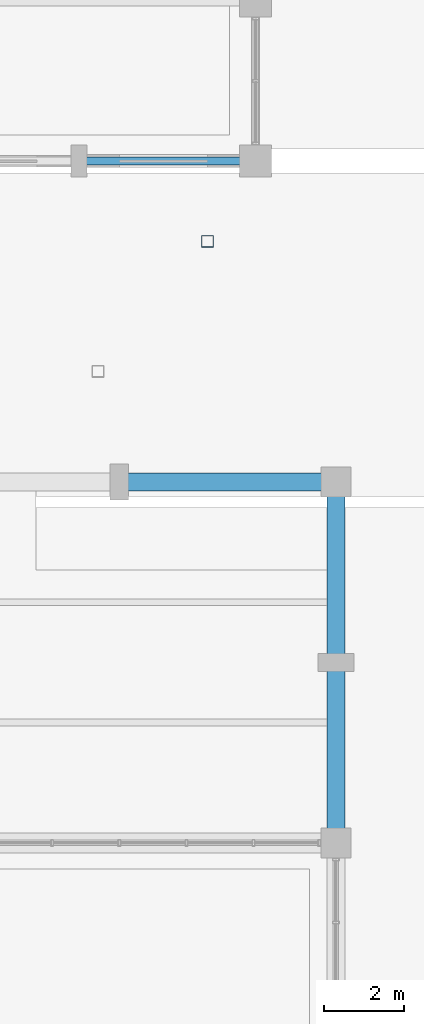
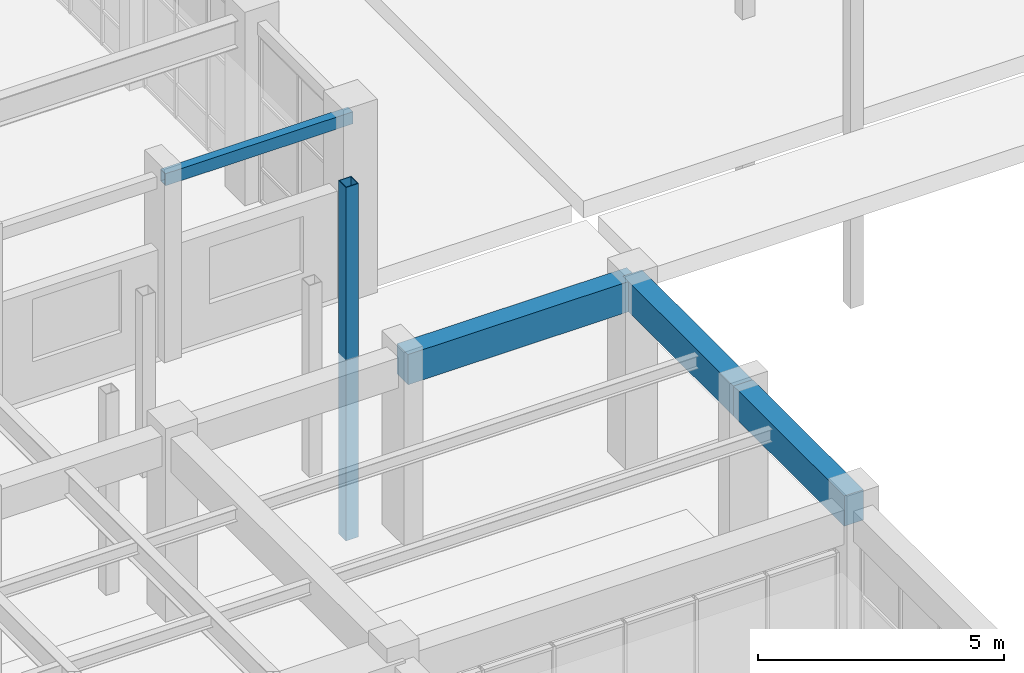
# One storey, part 11 of 47: 4 beams, 1 member.
"""IFC4 building model written with IfcOpenShell, lengths in metres."""

from ifc_helpers import new_model, si_unit, direction, frame, origin, origin_2d, place, context, subcontext, project, spatial, rectangle, hollow_rectangle, extrude, material, material_profile, profile_set, type_object, element, save


model = new_model("IFC4")

# Units and contexts
model_context = context("Model", 3, precision=1e-05, world=origin(), true_north=direction((0.0, 1.0)))
body_context = subcontext(model_context, "Body", "Model", "MODEL_VIEW")
ifc_project = project(units=[si_unit("LENGTHUNIT", "METRE"), si_unit("AREAUNIT", "SQUARE_METRE"), si_unit("VOLUMEUNIT", "CUBIC_METRE"), si_unit("PLANEANGLEUNIT", "RADIAN"), si_unit("MASSUNIT", "GRAM", prefix="KILO")], contexts=[model_context])

# Site, building, storey
site_placement = place(None, origin())
site = spatial("IfcSite", under=ifc_project, at=site_placement, CompositionType="ELEMENT")
building_placement = place(site_placement, origin())
building = spatial("IfcBuilding", under=site, at=building_placement, Name="Ventoquebrada Cableway Terminal", CompositionType="ELEMENT")
storey_placement = place(building_placement, origin())
storey = spatial("IfcBuildingStorey", under=building, at=storey_placement, Name="L00", CompositionType="ELEMENT", Elevation=0.0)

# Member
ifc_material_1 = material(Name="Steel ASTM A500 Grade C", Category="steel")
ifc_material_profile_1 = material_profile(ifc_material_1, hollow_rectangle(XDim=0.300048828125, YDim=0.300048828125, WallThickness=0.01611328125, at=origin_2d()), Name="HSS300X300X16")
ifc_profile_set_1 = profile_set([ifc_material_profile_1], Name="Steel ASTM A500 Grade C")
member_type = type_object("IfcMemberType", Name="PST-GS01", PredefinedType="STRUT", material=ifc_profile_set_1)
member_placement = place(storey_placement, frame((33.800048828125, 62.0, -4.5), z_axis=(0.0, 0.0, 1.0), x_axis=(1.0, 0.0, 0.0)))
element("IfcMember", 1, at=member_placement, inside=storey, type_object=member_type, Name="Plaza canopy support post CN-PS-0551", PredefinedType="STRUT", context=body_context, shape_type="SweptSolid", body=[
    extrude(hollow_rectangle(XDim=0.300048828125, YDim=0.300048828125, WallThickness=0.01611328125, at=origin_2d()), origin(), (0.0, 0.0, 1.0), 8.77392578125),
])

# Beams
ifc_material_2 = material(Name="Concrete C40/50", Category="concrete")
ifc_material_profile_2 = material_profile(ifc_material_2, rectangle(XDim=0.449951171875, YDim=0.75, at=origin_2d()), Name="RC-BM-450X750")
ifc_profile_set_2 = profile_set([ifc_material_profile_2], Name="Concrete C40/50")
beam_type_1 = type_object("IfcBeamType", Name="SP-RC02", PredefinedType="SPANDREL", material=ifc_profile_set_2)
beam_1_placement = place(storey_placement, frame((31.60009765625, 56.0, 4.155029296875), z_axis=(1.0, 0.0, 0.0), x_axis=(0.0, 1.0, 0.0)))
element("IfcBeam", 2, at=beam_1_placement, inside=storey, type_object=beam_type_1, Name="Perimeter spandrel beam FBM-0106", PredefinedType="SPANDREL", context=body_context, shape_type="SweptSolid", body=[
    extrude(rectangle(XDim=0.449951171875, YDim=0.75, at=origin_2d()), origin(), (0.0, 0.0, 1.0), 5.39990234375),
])
for number, where, z_axis, x_axis, name in (
    (3, (37.0, 47.0, 4.155029296875), (0.0, 1.0, 0.0), (-1.0, 0.0, 0.0), "Perimeter spandrel beam FBM-0143"),
    (4, (37.0, 51.5, 4.155029296875), (0.0, 1.0, 0.0), (-1.0, 0.0, 0.0), "Perimeter spandrel beam FBM-0144"),
):
    element("IfcBeam", number, at=place(storey_placement, frame(where, z_axis=z_axis, x_axis=x_axis)), inside=storey, type_object=beam_type_1, Name=name, PredefinedType="SPANDREL", context=body_context, shape_type="SweptSolid", body=[
        extrude(rectangle(XDim=0.449951171875, YDim=0.75, at=origin_2d()), origin(), (0.0, 0.0, 1.0), 4.5),
    ])
ifc_material_profile_3 = material_profile(ifc_material_1, hollow_rectangle(XDim=0.199951171875, YDim=0.300048828125, WallThickness=0.012451171875, at=origin_2d()), Name="RHS300X200X12.5")
ifc_profile_set_3 = profile_set([ifc_material_profile_3], Name="Steel ASTM A500 Grade C")
beam_type_2 = type_object("IfcBeamType", Name="SP-ST02", PredefinedType="SPANDREL", material=ifc_profile_set_3)
beam_2_placement = place(storey_placement, frame((30.60009765625, 64.0, 4.2900390625), z_axis=(1.0, 0.0, 0.0), x_axis=(0.0, 1.0, 0.0)))
element("IfcBeam", 5, at=beam_2_placement, inside=storey, type_object=beam_type_2, Name="Perimeter spandrel beam FBM-0321", PredefinedType="SPANDREL", context=body_context, shape_type="SweptSolid", body=[
    extrude(hollow_rectangle(XDim=0.199951171875, YDim=0.300048828125, WallThickness=0.012451171875, at=origin_2d()), origin(), (0.0, 0.0, 1.0), 4.39990234375),
])

save(model, "model.ifc")
